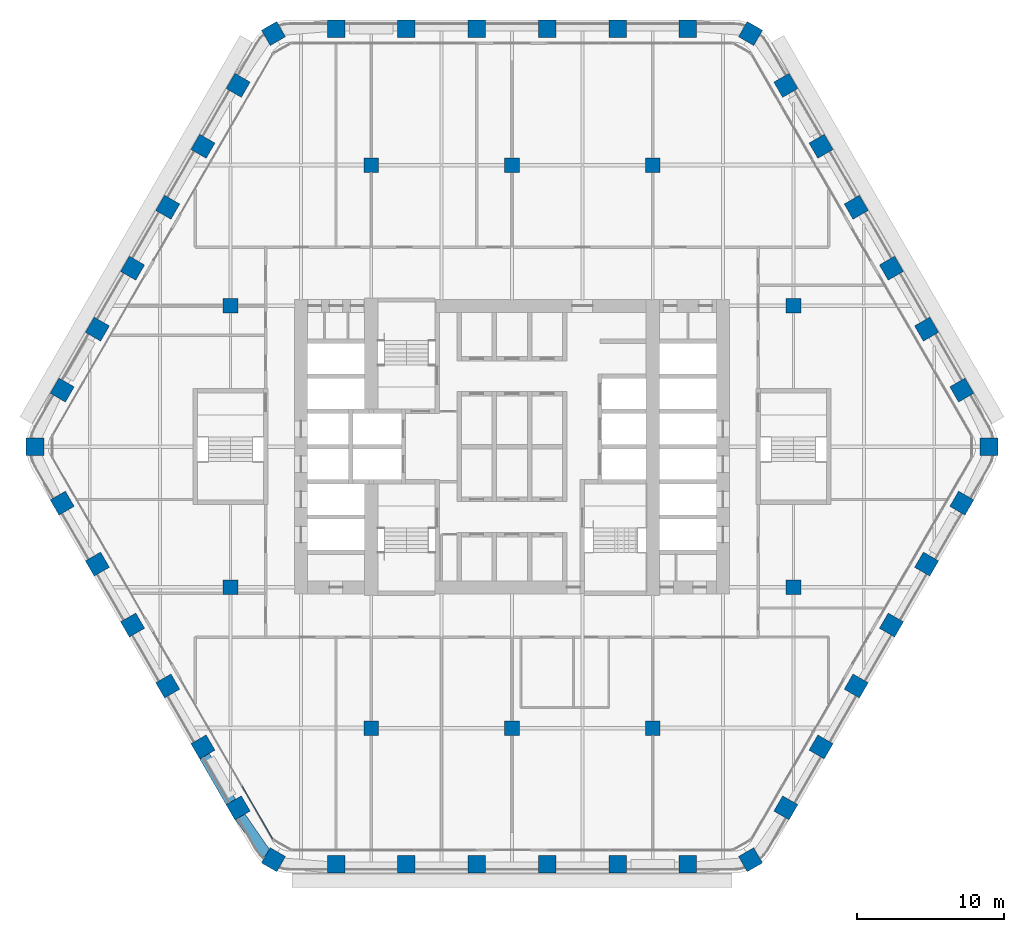
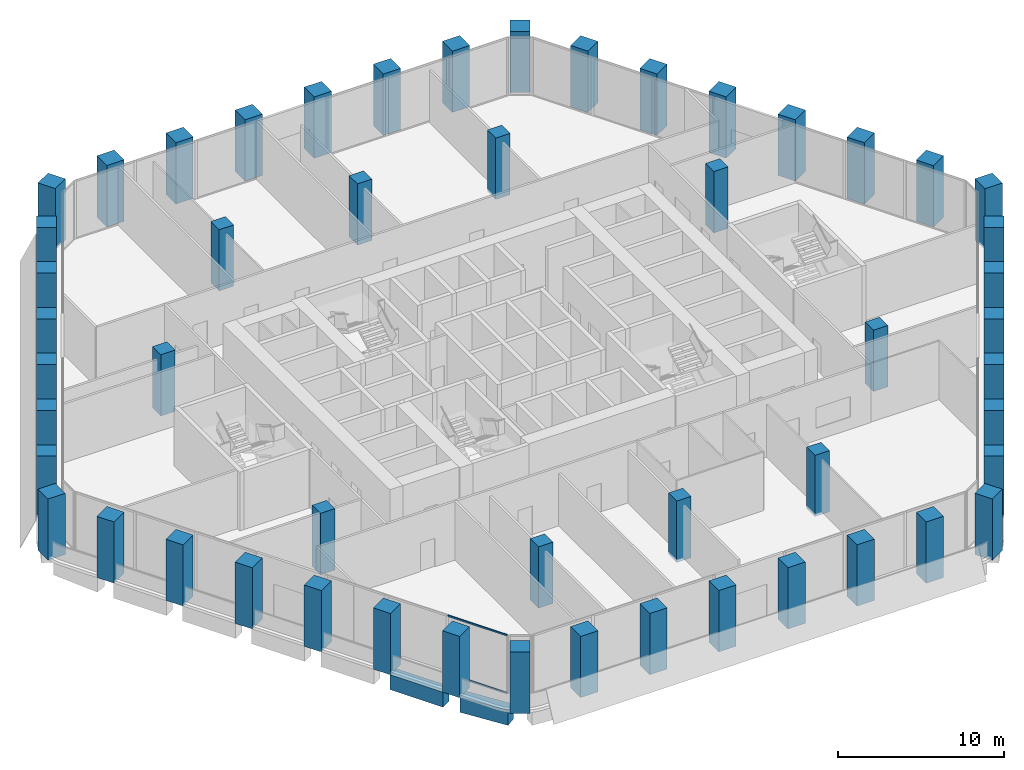
# One storey, part 1 of 22: 52 columns, 2 beams, 2 members, 1 element without a shape of its own.
"""IFC4 building model written with IfcOpenShell, lengths in metres."""

from ifc_helpers import new_model, si_unit, direction, frame, origin, origin_2d, place, context, subcontext, project, spatial, rectangle, extrude, material, material_profile, profile_set, type_object, element, aggregate, save


model = new_model("IFC4")

# Units and contexts
model_context = context("Model", 3, precision=1e-05, world=origin(), true_north=direction((0.0, 1.0)))
body_context = subcontext(model_context, "Body", "Model", "MODEL_VIEW")
ifc_project = project(units=[si_unit("LENGTHUNIT", "METRE"), si_unit("AREAUNIT", "SQUARE_METRE"), si_unit("VOLUMEUNIT", "CUBIC_METRE"), si_unit("PLANEANGLEUNIT", "RADIAN"), si_unit("MASSUNIT", "GRAM", prefix="KILO")], contexts=[model_context])

# Site, building, storey
site_placement = place(None, origin())
site = spatial("IfcSite", under=ifc_project, at=site_placement, CompositionType="ELEMENT")
building_placement = place(site_placement, origin())
building = spatial("IfcBuilding", under=site, at=building_placement, Name="Kolab Exchange Tower", CompositionType="ELEMENT")
storey_placement = place(building_placement, frame((0.0, 0.0, 82.39990234375)))
storey = spatial("IfcBuildingStorey", under=building, at=storey_placement, Name="L15", CompositionType="ELEMENT", Elevation=82.39990234375)

# Columns
ifc_material_1 = material(Name="Concrete C70/85", Category="concrete")
ifc_material_profile_1 = material_profile(ifc_material_1, rectangle(XDim=1.0, YDim=1.0, at=origin_2d()), Name="RC1000")
ifc_profile_set_1 = profile_set([ifc_material_profile_1], Name="Concrete C70/85")
column_type_1 = type_object("IfcColumnType", Name="INTERIOR COLUMN 1000 SQ C70/85", PredefinedType="COLUMN", material=ifc_profile_set_1)
for number, where, z_axis, x_axis, name in (
    (1, (-19.199951171875, -9.60009765625, -0.199951171875), (0.0, 0.0, 1.0), (1.0, 0.0, 0.0), "col/L15/I-I9"),
    (2, (-19.199951171875, 9.60009765625, -0.199951171875), (0.0, 0.0, 1.0), (1.0, 0.0, 0.0), "col/L15/I-I13"),
    (3, (-9.60009765625, -19.199951171875, -0.199951171875), (0.0, 0.0, 1.0), (1.0, 0.0, 0.0), "col/L15/I-K7"),
    (4, (-9.60009765625, 19.199951171875, -0.199951171875), (0.0, 0.0, 1.0), (1.0, 0.0, 0.0), "col/L15/I-K15"),
    (5, (0.0, -19.199951171875, -0.199951171875), (0.0, 0.0, 1.0), (1.0, 0.0, 0.0), "col/L15/I-M7"),
    (6, (0.0, 19.199951171875, -0.199951171875), (0.0, 0.0, 1.0), (1.0, 0.0, 0.0), "col/L15/I-M15"),
    (7, (9.60009765625, -19.199951171875, -0.199951171875), (0.0, 0.0, 1.0), (1.0, 0.0, 0.0), "col/L15/I-O7"),
    (8, (9.60009765625, 19.199951171875, -0.199951171875), (0.0, 0.0, 1.0), (1.0, 0.0, 0.0), "col/L15/I-O15"),
    (9, (19.199951171875, -9.60009765625, -0.199951171875), (0.0, 0.0, 1.0), (1.0, 0.0, 0.0), "col/L15/I-Q9"),
    (10, (19.199951171875, 9.60009765625, -0.199951171875), (0.0, 0.0, 1.0), (1.0, 0.0, 0.0), "col/L15/I-Q13"),
):
    element("IfcColumn", number, at=place(storey_placement, frame(where, z_axis=z_axis, x_axis=x_axis)), inside=storey, type_object=column_type_1, Name=name, PredefinedType="COLUMN", context=body_context, shape_type="SweptSolid", body=[
        extrude(rectangle(XDim=1.0, YDim=1.0, at=origin_2d()), origin(), (0.0, 0.0, 1.0), 4.5),
    ])
ifc_material_profile_2 = material_profile(ifc_material_1, rectangle(XDim=1.199951171875, YDim=1.199951171875, at=origin_2d()), Name="RC1200")
ifc_profile_set_2 = profile_set([ifc_material_profile_2], Name="Concrete C70/85")
column_type_2 = type_object("IfcColumnType", Name="PERIMETER COLUMN 1200 SQ C70/85", PredefinedType="COLUMN", material=ifc_profile_set_2)
for number, where, z_axis, x_axis, name in (
    (11, (-16.26806640625, 28.177001953125, -0.199951171875), (0.0, 0.0, 1.0), (0.866025403784, 0.5, 0.0), "col/L15/F1-01"),
    (12, (-12.0, 28.49853515625, -0.199951171875), (0.0, 0.0, 1.0), (1.0, 0.0, 0.0), "col/L15/F1-02"),
    (13, (-7.199951171875, 28.49853515625, -0.199951171875), (0.0, 0.0, 1.0), (1.0, 0.0, 0.0), "col/L15/F1-03"),
    (14, (-2.39990234375, 28.49853515625, -0.199951171875), (0.0, 0.0, 1.0), (1.0, 0.0, 0.0), "col/L15/F1-04"),
    (15, (2.39990234375, 28.49853515625, -0.199951171875), (0.0, 0.0, 1.0), (1.0, 0.0, 0.0), "col/L15/F1-05"),
    (16, (7.199951171875, 28.49853515625, -0.199951171875), (0.0, 0.0, 1.0), (1.0, 0.0, 0.0), "col/L15/F1-06"),
    (17, (12.0, 28.49853515625, -0.199951171875), (0.0, 0.0, 1.0), (1.0, 0.0, 0.0), "col/L15/F1-07"),
    (18, (16.26806640625, 28.177001953125, -0.199951171875), (0.0, 0.0, 1.0), (0.5, 0.866025403784, 0.0), "col/L15/F2-01"),
    (19, (18.680419921875, 24.6416015625, -0.199951171875), (0.0, 0.0, 1.0), (0.866025403784, 0.5, 0.0), "col/L15/F2-02"),
    (20, (21.080322265625, 20.484619140625, -0.199951171875), (0.0, 0.0, 1.0), (0.866025403784, 0.5, 0.0), "col/L15/F2-03"),
    (21, (23.48046875, 16.32763671875, -0.199951171875), (0.0, 0.0, 1.0), (0.866025403784, 0.5, 0.0), "col/L15/F2-04"),
    (22, (25.88037109375, 12.170654296875, -0.199951171875), (0.0, 0.0, 1.0), (0.866025403784, 0.5, 0.0), "col/L15/F2-05"),
    (23, (28.2802734375, 8.013916015625, -0.199951171875), (0.0, 0.0, 1.0), (0.866025403784, 0.5, 0.0), "col/L15/F2-06"),
    (24, (30.680419921875, 3.85693359375, -0.199951171875), (0.0, 0.0, 1.0), (0.866025403784, 0.5, 0.0), "col/L15/F2-07"),
    (25, (32.535888671875, 0.0, -0.199951171875), (0.0, 0.0, 1.0), (1.0, 0.0, 0.0), "col/L15/F3-01"),
    (26, (30.680419921875, -3.85693359375, -0.199951171875), (0.0, 0.0, 1.0), (0.5, 0.866025403784, 0.0), "col/L15/F3-02"),
    (27, (28.2802734375, -8.013916015625, -0.199951171875), (0.0, 0.0, 1.0), (0.5, 0.866025403784, 0.0), "col/L15/F3-03"),
    (28, (25.88037109375, -12.170654296875, -0.199951171875), (0.0, 0.0, 1.0), (0.5, 0.866025403784, 0.0), "col/L15/F3-04"),
    (29, (23.48046875, -16.32763671875, -0.199951171875), (0.0, 0.0, 1.0), (0.5, 0.866025403784, 0.0), "col/L15/F3-05"),
    (30, (21.080322265625, -20.484619140625, -0.199951171875), (0.0, 0.0, 1.0), (0.5, 0.866025403784, 0.0), "col/L15/F3-06"),
    (31, (18.680419921875, -24.6416015625, -0.199951171875), (0.0, 0.0, 1.0), (0.5, 0.866025403784, 0.0), "col/L15/F3-07"),
    (32, (16.26806640625, -28.177001953125, -0.199951171875), (0.0, 0.0, 1.0), (0.866025403784, 0.5, 0.0), "col/L15/F4-01"),
    (33, (12.0, -28.49853515625, -0.199951171875), (0.0, 0.0, 1.0), (1.0, 0.0, 0.0), "col/L15/F4-02"),
    (34, (7.199951171875, -28.49853515625, -0.199951171875), (0.0, 0.0, 1.0), (1.0, 0.0, 0.0), "col/L15/F4-03"),
    (35, (2.39990234375, -28.49853515625, -0.199951171875), (0.0, 0.0, 1.0), (1.0, 0.0, 0.0), "col/L15/F4-04"),
    (36, (-2.39990234375, -28.49853515625, -0.199951171875), (0.0, 0.0, 1.0), (1.0, 0.0, 0.0), "col/L15/F4-05"),
    (37, (-7.199951171875, -28.49853515625, -0.199951171875), (0.0, 0.0, 1.0), (1.0, 0.0, 0.0), "col/L15/F4-06"),
    (38, (-12.0, -28.49853515625, -0.199951171875), (0.0, 0.0, 1.0), (1.0, 0.0, 0.0), "col/L15/F4-07"),
    (39, (-16.26806640625, -28.177001953125, -0.199951171875), (0.0, 0.0, 1.0), (0.5, 0.866025403784, 0.0), "col/L15/F5-01"),
    (40, (-18.680419921875, -24.6416015625, -0.199951171875), (0.0, 0.0, 1.0), (0.866025403784, 0.5, 0.0), "col/L15/F5-02"),
    (41, (-21.080322265625, -20.484619140625, -0.199951171875), (0.0, 0.0, 1.0), (0.866025403784, 0.5, 0.0), "col/L15/F5-03"),
    (42, (-23.48046875, -16.32763671875, -0.199951171875), (0.0, 0.0, 1.0), (0.866025403784, 0.5, 0.0), "col/L15/F5-04"),
    (43, (-25.88037109375, -12.170654296875, -0.199951171875), (0.0, 0.0, 1.0), (0.866025403784, 0.5, 0.0), "col/L15/F5-05"),
    (44, (-28.2802734375, -8.013916015625, -0.199951171875), (0.0, 0.0, 1.0), (0.866025403784, 0.5, 0.0), "col/L15/F5-06"),
    (45, (-30.680419921875, -3.85693359375, -0.199951171875), (0.0, 0.0, 1.0), (0.866025403784, 0.5, 0.0), "col/L15/F5-07"),
    (46, (-32.535888671875, 0.0, -0.199951171875), (0.0, 0.0, 1.0), (1.0, 0.0, 0.0), "col/L15/F6-01"),
    (47, (-30.680419921875, 3.85693359375, -0.199951171875), (0.0, 0.0, 1.0), (0.5, 0.866025403784, 0.0), "col/L15/F6-02"),
    (48, (-28.2802734375, 8.013916015625, -0.199951171875), (0.0, 0.0, 1.0), (0.5, 0.866025403784, 0.0), "col/L15/F6-03"),
    (49, (-25.88037109375, 12.170654296875, -0.199951171875), (0.0, 0.0, 1.0), (0.5, 0.866025403784, 0.0), "col/L15/F6-04"),
    (50, (-23.48046875, 16.32763671875, -0.199951171875), (0.0, 0.0, 1.0), (0.5, 0.866025403784, 0.0), "col/L15/F6-05"),
    (51, (-21.080322265625, 20.484619140625, -0.199951171875), (0.0, 0.0, 1.0), (0.5, 0.866025403784, 0.0), "col/L15/F6-06"),
    (52, (-18.680419921875, 24.6416015625, -0.199951171875), (0.0, 0.0, 1.0), (0.5, 0.866025403784, 0.0), "col/L15/F6-07"),
):
    element("IfcColumn", number, at=place(storey_placement, frame(where, z_axis=z_axis, x_axis=x_axis)), inside=storey, type_object=column_type_2, Name=name, PredefinedType="COLUMN", context=body_context, shape_type="SweptSolid", body=[
        extrude(rectangle(XDim=1.199951171875, YDim=1.199951171875, at=origin_2d()), origin(), (0.0, 0.0, 1.0), 4.5),
    ])

# Beams
ifc_material_profile_3 = material_profile(ifc_material_1, rectangle(XDim=0.75, YDim=1.10009765625, at=origin_2d()), Name="RC750X1100")
ifc_profile_set_3 = profile_set([ifc_material_profile_3], Name="Concrete C70/85")
beam_type = type_object("IfcBeamType", Name="SPANDREL BEAM 750X1100 C70/85", PredefinedType="BEAM", material=ifc_profile_set_3)
beam_1_placement = place(storey_placement, frame((-16.73486328125, -27.85791015625, -0.75), z_axis=(-0.567661826262, 0.823261836237, 0.0), x_axis=(-0.823261836237, -0.567661826262, 0.0)))
element("IfcBeam", 53, at=beam_1_placement, inside=storey, type_object=beam_type, Name="beam/L15/sp/F5-01", PredefinedType="BEAM", context=body_context, shape_type="SweptSolid", body=[
    extrude(rectangle(XDim=0.75, YDim=1.10009765625, at=origin_2d()), origin(), (0.0, 0.0, 1.0), 3.20849609375),
])
beam_2_placement = place(storey_placement, frame((-19.1552734375, -24.26904296875, -0.75), z_axis=(-0.500013413428, 0.866017659399, 0.0), x_axis=(-0.866017659399, -0.500013413428, 0.0)))
element("IfcBeam", 54, at=beam_2_placement, inside=storey, type_object=beam_type, Name="beam/L15/sp/F5-02", PredefinedType="BEAM", context=body_context, shape_type="SweptSolid", body=[
    extrude(rectangle(XDim=0.75, YDim=1.10009765625, at=origin_2d()), origin(), (0.0, 0.0, 1.0), 3.68017578125),
])

# Curtain wall, members
ifc_material_2 = material(Name="Aluminium EN AW-6063 T6", Category="aluminium")
curtain_wall_type = type_object("IfcCurtainWallType", Name="UNITISED LOWER MID ZONE CURTAIN WALL", PredefinedType="NOTDEFINED", material=ifc_material_2)
curtain_wall_placement = place(storey_placement, origin())
curtain_wall = element("IfcCurtainWall", 55, at=curtain_wall_placement, inside=storey, type_object=curtain_wall_type, Name="cw/L15/F5-1", PredefinedType="NOTDEFINED")
ifc_material_profile_4 = material_profile(ifc_material_2, rectangle(XDim=0.06005859375, YDim=0.1201171875, at=origin_2d()), Name="RECT 60X120")
ifc_profile_set_4 = profile_set([ifc_material_profile_4], Name="Aluminium EN AW-6063 T6")
member_type = type_object("IfcMemberType", Name="UNITISED LOWER MID ZONE TRANSOM 60 X 120", PredefinedType="USERDEFINED", material=ifc_profile_set_4)
member_1_placement = place(storey_placement, frame((-16.32763671875, -26.756591796875, 0.030029296875), z_axis=(-0.500001996123, 0.866024251319, 0.0), x_axis=(-0.866024251319, -0.500001996123, 0.0)))
member_1 = element("IfcMember", 56, at=member_1_placement, type_object=member_type, Name="CW2 transom 1.1", ObjectType="TRANSOM", PredefinedType="USERDEFINED", context=body_context, shape_type="SweptSolid", body=[
    extrude(rectangle(XDim=0.06005859375, YDim=0.1201171875, at=origin_2d()), origin(), (0.0, 0.0, 1.0), 4.1328125),
])
member_2_placement = place(storey_placement, frame((-16.32763671875, -26.756591796875, 4.27001953125), z_axis=(-0.500001996123, 0.866024251319, 0.0), x_axis=(-0.866024251319, -0.500001996123, 0.0)))
member_2 = element("IfcMember", 57, at=member_2_placement, type_object=member_type, Name="CW2 transom 1.2", ObjectType="TRANSOM", PredefinedType="USERDEFINED", context=body_context, shape_type="SweptSolid", body=[
    extrude(rectangle(XDim=0.06005859375, YDim=0.1201171875, at=origin_2d()), origin(), (0.0, 0.0, 1.0), 4.1328125),
])
aggregate(curtain_wall, [member_1, member_2])

save(model, "model.ifc")
